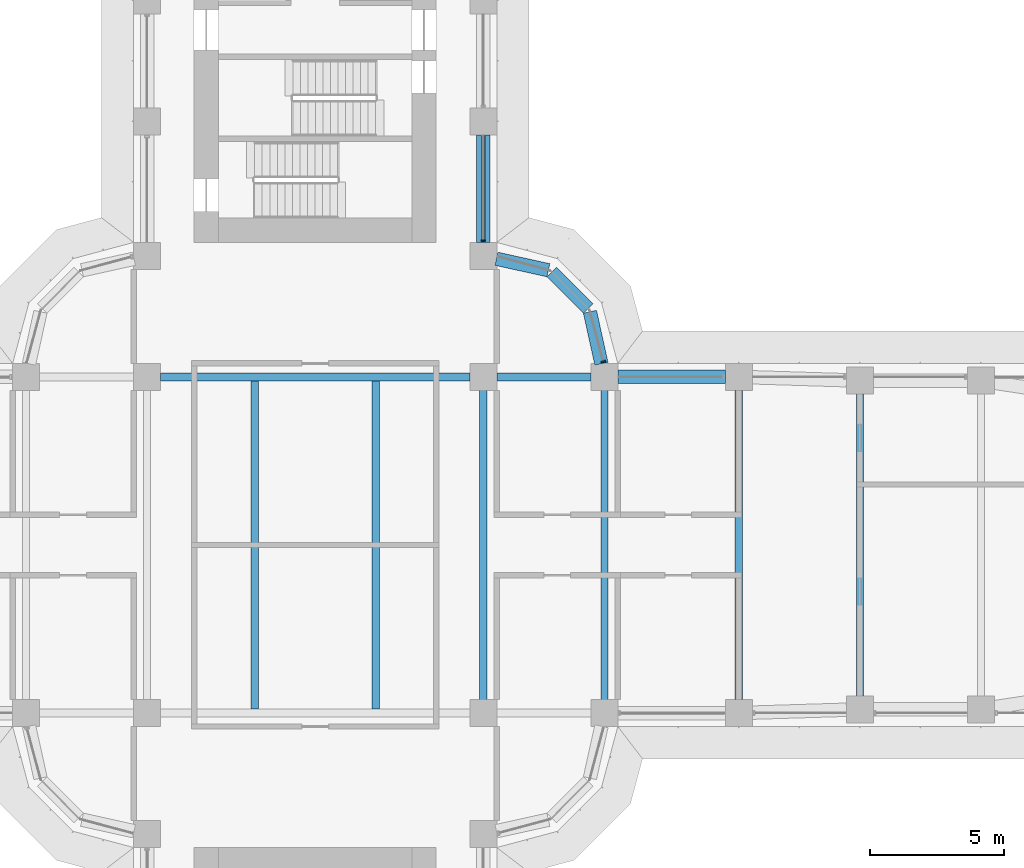
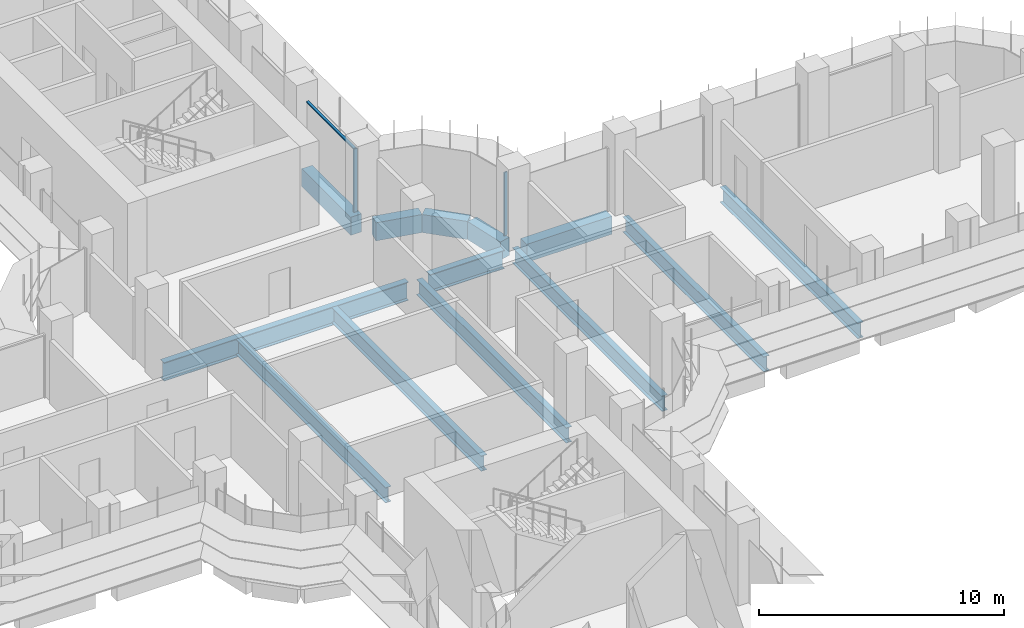
# One storey, part 8 of 23: 13 beams, 3 members, 2 elements without a shape of their own.
"""IFC4 building model written with IfcOpenShell, lengths in metres."""

from ifc_helpers import new_model, si_unit, direction, frame, origin, origin_2d, place, context, subcontext, project, spatial, polyline, rectangle, i_section, outline, extrude, source, transform, mapped, material, material_profile, profile_set, type_object, element, aggregate, save


model = new_model("IFC4")

# Units and contexts
model_context = context("Model", 3, precision=1e-05, world=origin(), true_north=direction((0.0, 1.0)))
body_context = subcontext(model_context, "Body", "Model", "MODEL_VIEW")
ifc_project = project(units=[si_unit("LENGTHUNIT", "METRE"), si_unit("AREAUNIT", "SQUARE_METRE"), si_unit("VOLUMEUNIT", "CUBIC_METRE"), si_unit("PLANEANGLEUNIT", "RADIAN"), si_unit("MASSUNIT", "GRAM", prefix="KILO")], contexts=[model_context])

# Site, building, storey
site_placement = place(None, origin())
site = spatial("IfcSite", under=ifc_project, at=site_placement, CompositionType="ELEMENT")
building_placement = place(site_placement, origin())
building = spatial("IfcBuilding", under=site, at=building_placement, Name="Zarbagh Exchange Tower", CompositionType="ELEMENT")
storey_placement = place(building_placement, frame((0.0, 0.0, 48.0)))
storey = spatial("IfcBuildingStorey", under=building, at=storey_placement, Name="L10", CompositionType="ELEMENT", Elevation=48.0)

# Beams
ifc_material_1 = material(Name="Steel ASTM A992 Gr 50", Category="steel")
ifc_material_profile_1 = material_profile(ifc_material_1, i_section(OverallWidth=0.2666015625, OverallDepth=0.76708984375, WebThickness=0.014892578125, FlangeThickness=0.023681640625, at=origin_2d()), Name="W30X124")
ifc_profile_set_1 = profile_set([ifc_material_profile_1], Name="Steel ASTM A992 Gr 50")
beam_type_1 = type_object("IfcBeamType", Name="Floor beam W30X124", PredefinedType="BEAM", material=ifc_profile_set_1)
for number, where, z_axis, x_axis, name in (
    (1, (-2.25, -6.09765625, -0.533447265625), (0.0, 1.0, 0.0), (-1.0, 0.0, 0.0), "Steel floor beam"),
    (2, (2.25, -6.09765625, -0.533447265625), (0.0, 1.0, 0.0), (-1.0, 0.0, 0.0), "Steel floor beam"),
    (3, (6.25, -6.09765625, -0.533447265625), (0.0, 1.0, 0.0), (-1.0, 0.0, 0.0), "Steel floor beam"),
    (4, (10.75, -6.09765625, -0.533447265625), (0.0, 1.0, 0.0), (-1.0, 0.0, 0.0), "Steel floor beam"),
):
    element("IfcBeam", number, at=place(storey_placement, frame(where, z_axis=z_axis, x_axis=x_axis)), inside=storey, type_object=beam_type_1, Name=name, PredefinedType="BEAM", context=body_context, shape_type="SweptSolid", body=[
        extrude(i_section(OverallWidth=0.2666015625, OverallDepth=0.76708984375, WebThickness=0.014892578125, FlangeThickness=0.023681640625, at=origin_2d()), origin(), (0.0, 0.0, 1.0), 12.1953125),
    ])
beam_1_placement = place(storey_placement, frame((15.75, -5.75, -0.533447265625), z_axis=(0.0, 1.0, 0.0), x_axis=(-1.0, 0.0, 0.0)))
element("IfcBeam", 5, at=beam_1_placement, inside=storey, type_object=beam_type_1, Name="Steel floor beam", PredefinedType="BEAM", context=body_context, shape_type="SweptSolid", body=[
    extrude(i_section(OverallWidth=0.2666015625, OverallDepth=0.76708984375, WebThickness=0.014892578125, FlangeThickness=0.023681640625, at=origin_2d()), origin(), (0.0, 0.0, 1.0), 11.5),
])
beam_2_placement = place(storey_placement, frame((20.25, -5.610107421875, -0.533447265625), z_axis=(0.0, 1.0, 0.0), x_axis=(-1.0, 0.0, 0.0)))
element("IfcBeam", 6, at=beam_2_placement, inside=storey, type_object=beam_type_1, Name="Steel floor beam", PredefinedType="BEAM", context=body_context, shape_type="SweptSolid", body=[
    extrude(i_section(OverallWidth=0.2666015625, OverallDepth=0.76708984375, WebThickness=0.014892578125, FlangeThickness=0.023681640625, at=origin_2d()), origin(), (0.0, 0.0, 1.0), 11.22021484375),
])
ifc_material_profile_2 = material_profile(ifc_material_1, i_section(OverallWidth=0.3046875, OverallDepth=0.91943359375, WebThickness=0.017333984375, FlangeThickness=0.02783203125, at=origin_2d()), Name="W36X170")
ifc_profile_set_2 = profile_set([ifc_material_profile_2], Name="Steel ASTM A992 Gr 50")
beam_type_2 = type_object("IfcBeamType", Name="Floor girder W36X170", PredefinedType="BEAM", material=ifc_profile_set_2)
beam_3_placement = place(storey_placement, frame((-5.75, 6.25, -0.609619140625), z_axis=(1.0, 0.0, 0.0), x_axis=(0.0, 1.0, 0.0)))
element("IfcBeam", 7, at=beam_3_placement, inside=storey, type_object=beam_type_2, Name="Steel girder", PredefinedType="BEAM", context=body_context, shape_type="SweptSolid", body=[
    extrude(i_section(OverallWidth=0.3046875, OverallDepth=0.91943359375, WebThickness=0.017333984375, FlangeThickness=0.02783203125, at=origin_2d()), origin(), (0.0, 0.0, 1.0), 11.5),
])
beam_4_placement = place(storey_placement, frame((6.75, 6.25, -0.609619140625), z_axis=(1.0, 0.0, 0.0), x_axis=(0.0, 1.0, 0.0)))
element("IfcBeam", 8, at=beam_4_placement, inside=storey, type_object=beam_type_2, Name="Steel girder", PredefinedType="BEAM", context=body_context, shape_type="SweptSolid", body=[
    extrude(i_section(OverallWidth=0.3046875, OverallDepth=0.91943359375, WebThickness=0.017333984375, FlangeThickness=0.02783203125, at=origin_2d()), origin(), (0.0, 0.0, 1.0), 3.5),
])
ifc_material_2 = material(Name="Concrete C60/75", Category="concrete")
ifc_material_profile_3 = material_profile(ifc_material_2, rectangle(XDim=0.5, YDim=0.89990234375, at=origin_2d()), Name="RC spandrel beam 500 x 900 C60/75")
ifc_profile_set_3 = profile_set([ifc_material_profile_3], Name="Concrete C60/75")
beam_type_3 = type_object("IfcBeamType", Name="RC spandrel beam 500 x 900 C60/75", PredefinedType="SPANDREL", material=ifc_profile_set_3)
beam_5_placement = place(storey_placement, frame((6.25, 15.25, -0.60009765625), z_axis=(0.0, -1.0, 0.0), x_axis=(1.0, 0.0, 0.0)))
element("IfcBeam", 9, at=beam_5_placement, inside=storey, type_object=beam_type_3, Name="RC spandrel beam", PredefinedType="SPANDREL", context=body_context, shape_type="SweptSolid", body=[
    extrude(rectangle(XDim=0.5, YDim=0.89990234375, at=origin_2d()), origin(), (0.0, 0.0, 1.0), 4.0),
])
beam_6_placement = place(storey_placement, frame((6.73828125, 10.64208984375, -0.60009765625), z_axis=(0.976375426825, -0.216081063242, 0.0), x_axis=(0.216081063242, 0.976375426825, 0.0)))
element("IfcBeam", 10, at=beam_6_placement, inside=storey, type_object=beam_type_3, Name="RC spandrel beam", PredefinedType="SPANDREL", context=body_context, shape_type="SweptSolid", body=[
    extrude(rectangle(XDim=0.5, YDim=0.89990234375, at=origin_2d()), origin(), (0.0, 0.0, 1.0), 1.978271484375),
])
beam_7_placement = place(storey_placement, frame((8.792724609375, 10.147216796875, -0.60009765625), z_axis=(0.707106781187, -0.707106781187, 0.0), x_axis=(0.707106781187, 0.707106781187, 0.0)))
element("IfcBeam", 11, at=beam_7_placement, inside=storey, type_object=beam_type_3, Name="RC spandrel beam", PredefinedType="SPANDREL", context=body_context, shape_type="SweptSolid", body=[
    extrude(rectangle(XDim=0.5, YDim=0.89990234375, at=origin_2d()), origin(), (0.0, 0.0, 1.0), 1.91552734375),
])
beam_8_placement = place(storey_placement, frame((10.214599609375, 8.669921875, -0.60009765625), z_axis=(0.216081063242, -0.976375426825, 0.0), x_axis=(0.976375426825, 0.216081063242, 0.0)))
element("IfcBeam", 12, at=beam_8_placement, inside=storey, type_object=beam_type_3, Name="RC spandrel beam", PredefinedType="SPANDREL", context=body_context, shape_type="SweptSolid", body=[
    extrude(rectangle(XDim=0.5, YDim=0.89990234375, at=origin_2d()), origin(), (0.0, 0.0, 1.0), 1.978271484375),
])
beam_9_placement = place(storey_placement, frame((11.25, 6.25, -0.60009765625), z_axis=(1.0, 0.0, 0.0), x_axis=(0.0, 1.0, 0.0)))
element("IfcBeam", 13, at=beam_9_placement, inside=storey, type_object=beam_type_3, Name="RC spandrel beam", PredefinedType="SPANDREL", context=body_context, shape_type="SweptSolid", body=[
    extrude(rectangle(XDim=0.5, YDim=0.89990234375, at=origin_2d()), origin(), (0.0, 0.0, 1.0), 4.0),
])

# Curtain wall, member
ifc_material_3 = material(Name="Anodised aluminium frame and glazing", Category="aluminium")
curtain_wall_type = type_object("IfcCurtainWallType", Name="CWA Ribbon glazing, lower zones", PredefinedType="NOTDEFINED", material=ifc_material_3)
curtain_wall_1_placement = place(storey_placement, origin())
curtain_wall_1 = element("IfcCurtainWall", 14, at=curtain_wall_1_placement, inside=storey, type_object=curtain_wall_type, Name="CWA17 curtain wall", PredefinedType="NOTDEFINED")
ifc_material_4 = material(Name="Anodised aluminium frame", Category="aluminium")
member_type_1 = type_object("IfcMemberType", Name="MUA Mullion, anodised aluminium frame", PredefinedType="MULLION", material=ifc_material_4)
shared_shape_1 = source(origin(), body_context, "Body", "SweptSolid", [
    extrude(outline(polyline([(0.0, -0.080078125), (0.06005859375, -0.080078125), (0.06005859375, 0.080078125), (0.0, 0.080078125), (0.0, -0.080078125)])), origin(), (0.0, 0.0, 1.0), 3.14990234375),
])
placement = place(storey_placement, origin())
member_1 = element("IfcMember", 15, at=placement, type_object=member_type_1, Name="CWA17 mullion 1.1", PredefinedType="MULLION", context=body_context, shape_type="MappedRepresentation", body=[
    mapped(shared_shape_1, transform((10.7216796875, 6.7900390625, 0.0), x_axis=(-0.258824779902, 0.965924289636, 0.0), y_axis=(-0.965924289636, -0.258824779902, 0.0), z_axis=(0.0, 0.0, 1.0))),
])
aggregate(curtain_wall_1, [member_1])

# Curtain wall, members
curtain_wall_2_placement = place(storey_placement, origin())
curtain_wall_2 = element("IfcCurtainWall", 16, at=curtain_wall_2_placement, inside=storey, type_object=curtain_wall_type, Name="CWA20 curtain wall", PredefinedType="NOTDEFINED")
member_2 = element("IfcMember", 17, at=placement, type_object=member_type_1, Name="CWA20 mullion 1.1", PredefinedType="MULLION", context=body_context, shape_type="MappedRepresentation", body=[
    mapped(shared_shape_1, transform((6.25, 11.2900390625, 0.0), x_axis=(0.0, 1.0, 0.0), y_axis=(-1.0, 0.0, 0.0), z_axis=(0.0, 0.0, 1.0))),
])
member_type_2 = type_object("IfcMemberType", Name="TRA Transom, anodised aluminium frame", PredefinedType="USERDEFINED", material=ifc_material_4)
shared_shape_2 = source(origin(), body_context, "Body", "SweptSolid", [
    extrude(outline(polyline([(-0.06005859375, -0.06005859375), (0.0, -0.06005859375), (0.0, 0.06005859375), (-0.06005859375, 0.06005859375), (-0.06005859375, -0.06005859375)])), origin(), (0.0, 0.0, 1.0), 3.860107421875),
])
member_3 = element("IfcMember", 18, at=placement, type_object=member_type_2, Name="CWA20 transom 1.1", ObjectType="TRANSOM", PredefinedType="USERDEFINED", context=body_context, shape_type="MappedRepresentation", body=[
    mapped(shared_shape_2, transform((6.25, 11.35009765625, 3.14990234375), x_axis=(0.0, 0.0, 1.0), y_axis=(1.0, 0.0, 0.0), z_axis=(0.0, 1.0, 0.0))),
])
aggregate(curtain_wall_2, [member_2, member_3])

save(model, "model.ifc")
